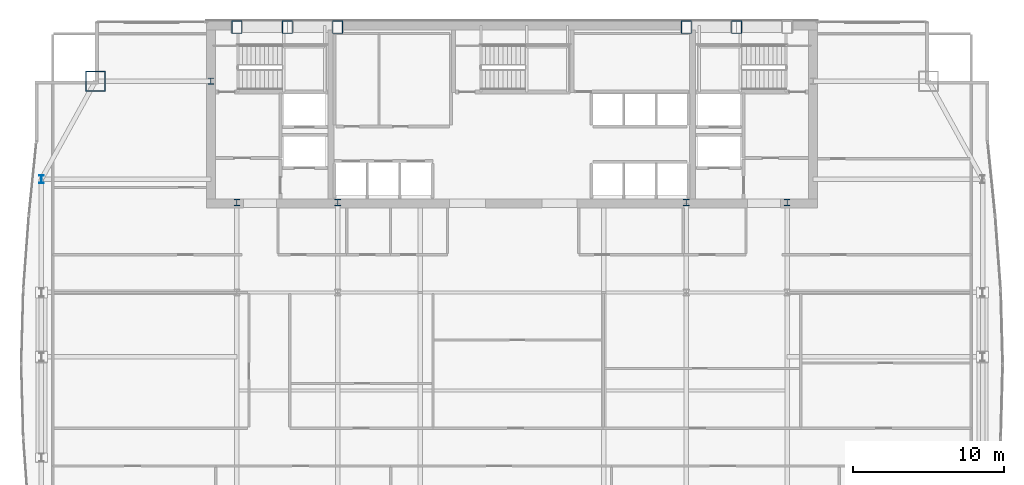
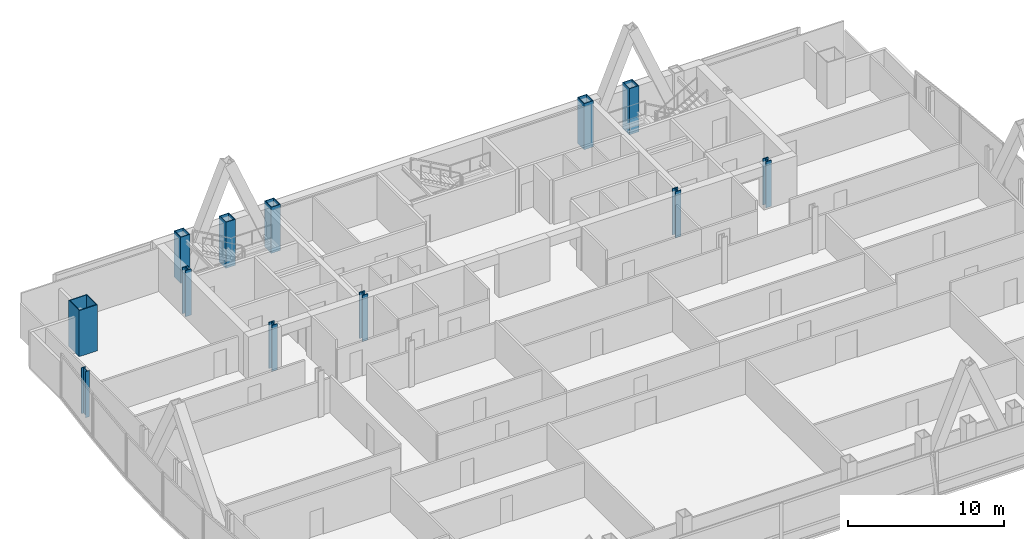
# One storey, part 3 of 29: 12 columns.
"""IFC4 building model written with IfcOpenShell, lengths in metres."""

from ifc_helpers import new_model, si_unit, direction, frame, origin, origin_2d, place, context, subcontext, project, spatial, hollow_rectangle, i_section, extrude, material, material_profile, profile_set, type_object, element, save


model = new_model("IFC4")

# Units and contexts
model_context = context("Model", 3, precision=1e-05, world=origin(), true_north=direction((0.0, 1.0)))
body_context = subcontext(model_context, "Body", "Model", "MODEL_VIEW")
ifc_project = project(units=[si_unit("LENGTHUNIT", "METRE"), si_unit("AREAUNIT", "SQUARE_METRE"), si_unit("VOLUMEUNIT", "CUBIC_METRE"), si_unit("PLANEANGLEUNIT", "RADIAN"), si_unit("MASSUNIT", "GRAM", prefix="KILO")], contexts=[model_context])

# Site, building, storey
site_placement = place(None, origin())
site = spatial("IfcSite", under=ifc_project, at=site_placement, CompositionType="ELEMENT")
building_placement = place(site_placement, origin())
building = spatial("IfcBuilding", under=site, at=building_placement, Name="Khoronbel Lancet Exchange", CompositionType="ELEMENT")
storey_placement = place(building_placement, frame((0.0, 0.0, 180.60009765625)))
storey = spatial("IfcBuildingStorey", under=building, at=storey_placement, Name="L45", CompositionType="ELEMENT", Elevation=180.60009765625)

# Columns
ifc_material_1 = material(Name="Steel S460", Category="steel")
ifc_material_profile_1 = material_profile(ifc_material_1, hollow_rectangle(XDim=0.699951171875, YDim=0.85009765625, WallThickness=0.050048828125, at=origin_2d()), Name="BOX 850x700x50")
ifc_profile_set_1 = profile_set([ifc_material_profile_1], Name="Steel S460")
column_type_1 = type_object("IfcColumnType", Name="COL-EC2", PredefinedType="COLUMN", material=ifc_profile_set_1)
for number, where, z_axis, x_axis, name in (
    (1, (18.22509765625, 53.280029296875, 0.0), (0.0, 0.0, 1.0), (1.0, 0.0, 0.0), "Structural column NC-W1 L45"),
    (2, (21.5625, 53.280029296875, 0.0), (0.0, 0.0, 1.0), (1.0, 0.0, 0.0), "Structural column NC-WM L45"),
    (3, (24.89990234375, 53.280029296875, 0.0), (0.0, 0.0, 1.0), (1.0, 0.0, 0.0), "Structural column NC-W2 L45"),
    (4, (48.0, 53.280029296875, 0.0), (0.0, 0.0, 1.0), (1.0, 0.0, 0.0), "Structural column NC-E1 L45"),
    (5, (51.33740234375, 53.280029296875, 0.0), (0.0, 0.0, 1.0), (1.0, 0.0, 0.0), "Structural column NC-EM L45"),
):
    element("IfcColumn", number, at=place(storey_placement, frame(where, z_axis=z_axis, x_axis=x_axis)), inside=storey, type_object=column_type_1, Name=name, PredefinedType="COLUMN", context=body_context, shape_type="SweptSolid", body=[
        extrude(hollow_rectangle(XDim=0.699951171875, YDim=0.85009765625, WallThickness=0.050048828125, at=origin_2d()), origin(), (0.0, 0.0, 1.0), 3.599853515625),
    ])
ifc_material_profile_2 = material_profile(ifc_material_1, i_section(OverallWidth=0.416015625, OverallDepth=0.446044921875, WebThickness=0.0390625, FlangeThickness=0.062744140625, at=origin_2d()), Name="HD 400x509")
ifc_profile_set_2 = profile_set([ifc_material_profile_2], Name="Steel S460")
column_type_2 = type_object("IfcColumnType", Name="COL-IC2", PredefinedType="COLUMN", material=ifc_profile_set_2)
for number, where, z_axis, x_axis, name in (
    (6, (16.5, 49.699951171875, 0.0), (0.0, 0.0, 1.0), (1.0, 0.0, 0.0), "Core-flank plumb transfer column CFW L45"),
    (7, (18.22509765625, 41.64990234375, 0.0), (0.0, 0.0, 1.0), (1.0, 0.0, 0.0), "Core-embedded steel column CTC1 L45"),
    (8, (24.89990234375, 41.64990234375, 0.0), (0.0, 0.0, 1.0), (1.0, 0.0, 0.0), "Core-embedded steel column CTC2 L45"),
    (9, (48.0, 41.64990234375, 0.0), (0.0, 0.0, 1.0), (1.0, 0.0, 0.0), "Core-embedded steel column CTC3 L45"),
    (10, (54.675048828125, 41.64990234375, 0.0), (0.0, 0.0, 1.0), (1.0, 0.0, 0.0), "Core-embedded steel column CTC4 L45"),
):
    element("IfcColumn", number, at=place(storey_placement, frame(where, z_axis=z_axis, x_axis=x_axis)), inside=storey, type_object=column_type_2, Name=name, PredefinedType="COLUMN", context=body_context, shape_type="SweptSolid", body=[
        extrude(i_section(OverallWidth=0.416015625, OverallDepth=0.446044921875, WebThickness=0.0390625, FlangeThickness=0.062744140625, at=origin_2d()), origin(), (0.0, 0.0, 1.0), 3.599853515625),
    ])
ifc_material_2 = material(Name="Steel S355", Category="steel")
ifc_material_profile_3 = material_profile(ifc_material_2, i_section(OverallWidth=0.300048828125, OverallDepth=0.550048828125, WebThickness=0.014892578125, FlangeThickness=0.029052734375, at=origin_2d()), Name="HEB 550")
ifc_profile_set_3 = profile_set([ifc_material_profile_3], Name="Steel S355")
column_type_3 = type_object("IfcColumnType", Name="COL-LC1", PredefinedType="COLUMN", material=ifc_profile_set_3)
column_1_placement = place(storey_placement, frame((5.27001953125, 43.199951171875, 0.0), z_axis=(0.0, 0.0, 1.0), x_axis=(1.0, 0.0, 0.0)))
element("IfcColumn", 11, at=column_1_placement, inside=storey, type_object=column_type_3, Name="Structural column WC-4 L45", PredefinedType="COLUMN", context=body_context, shape_type="SweptSolid", body=[
    extrude(i_section(OverallWidth=0.300048828125, OverallDepth=0.550048828125, WebThickness=0.014892578125, FlangeThickness=0.029052734375, at=origin_2d()), origin(), (0.0, 0.0, 1.0), 3.599853515625),
])
ifc_material_profile_4 = material_profile(ifc_material_1, hollow_rectangle(XDim=1.35009765625, YDim=1.35009765625, WallThickness=0.06494140625, at=origin_2d()), Name="BOX 1350x1350x65")
ifc_profile_set_4 = profile_set([ifc_material_profile_4], Name="Steel S460")
column_type_4 = type_object("IfcColumnType", Name="COL-MC4", PredefinedType="COLUMN", material=ifc_profile_set_4)
column_2_placement = place(storey_placement, frame((8.85009765625, 49.699951171875, 0.0), z_axis=(0.0, 0.0, 1.0), x_axis=(1.0, 0.0, 0.0)))
element("IfcColumn", 12, at=column_2_placement, inside=storey, type_object=column_type_4, Name="Structural column MC-NW L45", PredefinedType="COLUMN", context=body_context, shape_type="SweptSolid", body=[
    extrude(hollow_rectangle(XDim=1.35009765625, YDim=1.35009765625, WallThickness=0.06494140625, at=origin_2d()), origin(), (0.0, 0.0, 1.0), 3.599853515625),
])

save(model, "model.ifc")
